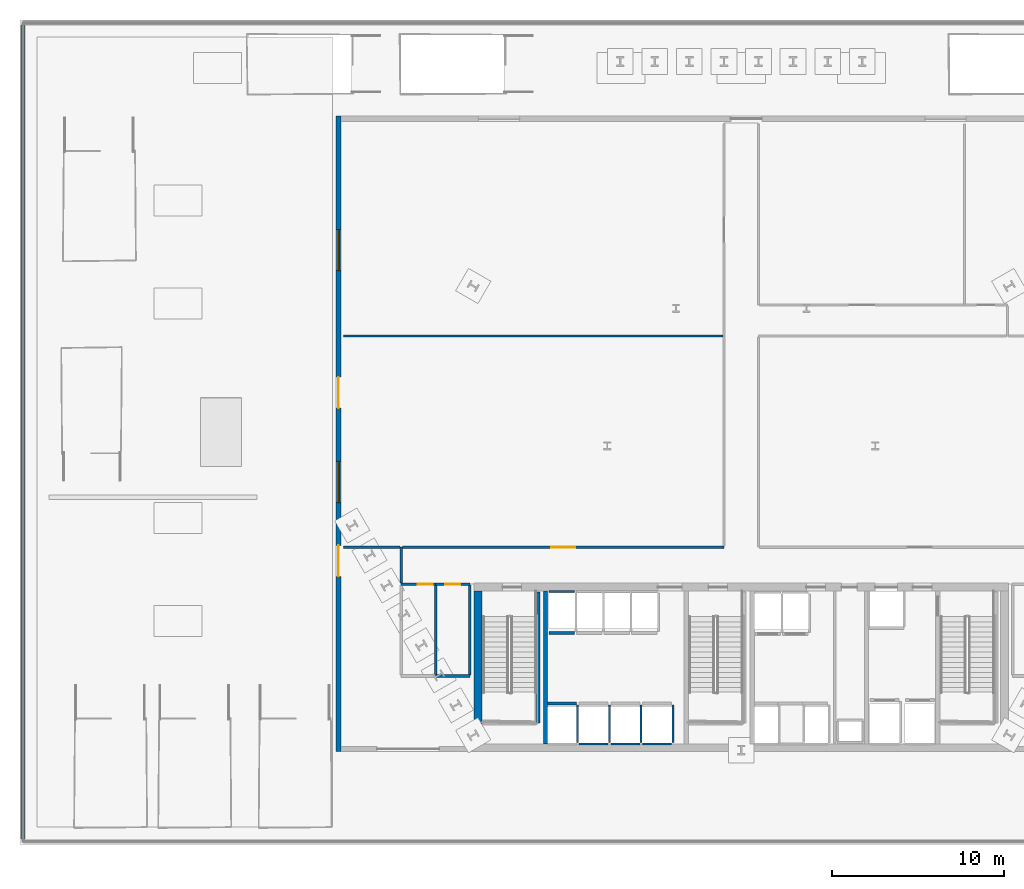
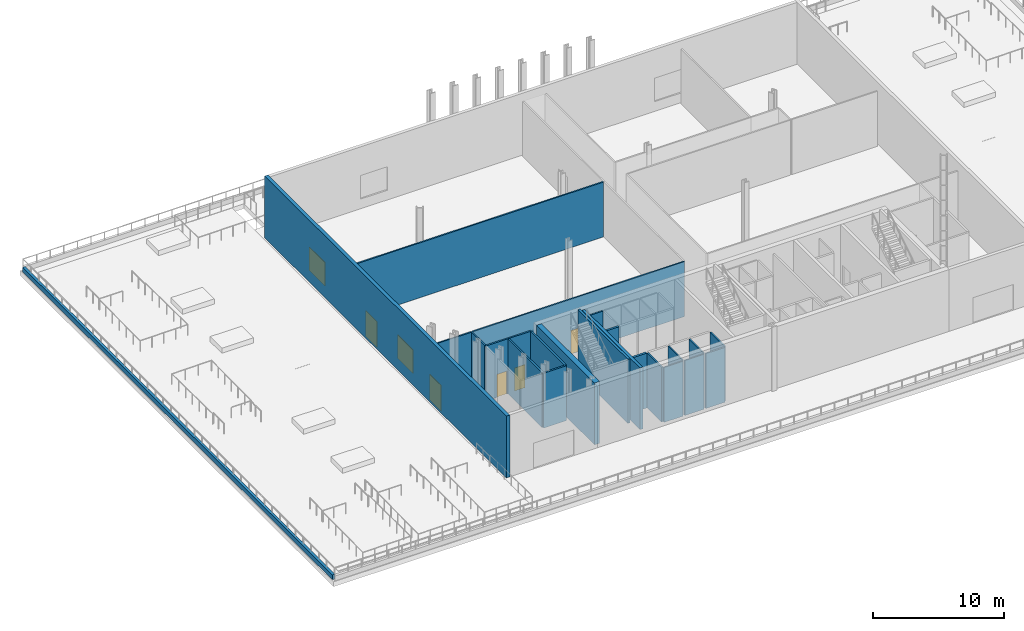
# One storey, part 3 of 13: 24 walls, 5 doors, 2 windows, 7 openings.
"""IFC4 building model written with IfcOpenShell, lengths in metres."""

from ifc_helpers import new_model, si_unit, direction, frame, frame_2d, origin, place, context, subcontext, project, spatial, rectangle, extrude, material, layer, layer_set, type_object, element, fill, save


model = new_model("IFC4")

# Units and contexts
model_context = context("Model", 3, precision=1e-05, world=origin(), true_north=direction((0.0, 1.0)))
body_context = subcontext(model_context, "Body", "Model", "MODEL_VIEW")
ifc_project = project(units=[si_unit("LENGTHUNIT", "METRE"), si_unit("AREAUNIT", "SQUARE_METRE"), si_unit("VOLUMEUNIT", "CUBIC_METRE"), si_unit("PLANEANGLEUNIT", "RADIAN"), si_unit("MASSUNIT", "GRAM", prefix="KILO")], contexts=[model_context])

# Site, building, storey
site_placement = place(None, origin())
site = spatial("IfcSite", under=ifc_project, at=site_placement, CompositionType="ELEMENT")
building_placement = place(site_placement, origin())
building = spatial("IfcBuilding", under=site, at=building_placement, Name="Ndaravel Arena Tower", CompositionType="ELEMENT")
storey_placement = place(building_placement, frame((0.0, 0.0, 30.0)))
storey = spatial("IfcBuildingStorey", under=building, at=storey_placement, Name="L05", CompositionType="ELEMENT", Elevation=30.0)

# Walls
ifc_material_1 = material(Name="Concrete C60/75", Category="concrete")
ifc_layer_1 = layer(ifc_material_1, 0.25)
ifc_layer_set_1 = layer_set([ifc_layer_1], Name="Concrete C60/75")
wall_type_1 = type_object("IfcWallType", Name="WALL-CORE-250", PredefinedType="SOLIDWALL", material=ifc_layer_set_1)
wall_1_placement = place(storey_placement, frame((30.60009765625, 5.85009765625, 0.0), z_axis=(0.0, 0.0, 1.0), x_axis=(0.0, 1.0, 0.0)))
element("IfcWall", 1, at=wall_1_placement, inside=storey, type_object=wall_type_1, Name="L05 Core Web Shear Wall 1", PredefinedType="SOLIDWALL", context=body_context, shape_type="SweptSolid", body=[
    extrude(rectangle(XDim=8.89990234375, YDim=0.25, at=frame_2d((4.449951171875, 0.0))), origin(), (0.0, 0.0, 1.0), 5.780029296875),
])
ifc_material_2 = material(Name="Concrete C60/75", Category="concrete")
ifc_layer_2 = layer(ifc_material_2, 0.449951171875)
ifc_layer_set_2 = layer_set([ifc_layer_2], Name="Concrete C60/75")
wall_type_2 = type_object("IfcWallType", Name="WALL-CORE-450", PredefinedType="SOLIDWALL", material=ifc_layer_set_2)
wall_2_placement = place(storey_placement, frame((26.675048828125, 5.85009765625, 0.0), z_axis=(0.0, 0.0, 1.0), x_axis=(0.0, 1.0, 0.0)))
element("IfcWall", 2, at=wall_2_placement, inside=storey, type_object=wall_type_2, Name="L05 Core West Shear Wall", PredefinedType="SOLIDWALL", context=body_context, shape_type="SweptSolid", body=[
    extrude(rectangle(XDim=8.89990234375, YDim=0.449951171875, at=frame_2d((4.449951171875, 0.0))), origin(), (0.0, 0.0, 1.0), 5.780029296875),
])
ifc_material_3 = material(Name="Masonry", Category="masonry")
ifc_layer_3 = layer(ifc_material_3, 0.219970703125)
ifc_layer_set_3 = layer_set([ifc_layer_3], Name="Masonry")
wall_type_3 = type_object("IfcWallType", Name="WALL-PARAPET-220", PredefinedType="PARAPET", material=ifc_layer_set_3)
wall_3_placement = place(storey_placement, frame((0.179931640625, 47.705078125, 0.0), z_axis=(0.0, 0.0, 1.0), x_axis=(0.0, -1.0, 0.0)))
element("IfcWall", 3, at=wall_3_placement, inside=storey, type_object=wall_type_3, Name="L05 Garden Mazeras Upstand 4", PredefinedType="PARAPET", context=body_context, shape_type="SweptSolid", body=[
    extrude(rectangle(XDim=47.41015625, YDim=0.219970703125, at=frame_2d((23.705078125, 0.0))), origin(), (0.0, 0.0, 1.0), 0.449951171875),
])
ifc_material_4 = material(Name="Gypsum", Category="gypsum")
ifc_layer_4 = layer(ifc_material_4, 0.125)
ifc_layer_set_4 = layer_set([ifc_layer_4], Name="Gypsum")
wall_type_4 = type_object("IfcWallType", Name="WALL-PART-125", PredefinedType="PARTITIONING", material=ifc_layer_set_4)
wall_4_placement = place(storey_placement, frame((22.199951171875, 15.215087890625, 0.0), z_axis=(0.0, 0.0, 1.0), x_axis=(0.0, 1.0, 0.0)))
element("IfcWall", 4, at=wall_4_placement, inside=storey, type_object=wall_type_4, Name="L05 Interior Partition 005", PredefinedType="PARTITIONING", context=body_context, shape_type="SweptSolid", body=[
    extrude(rectangle(XDim=2.0849609375, YDim=0.125, at=frame_2d((1.04248046875, 0.0))), origin(), (0.0, 0.0, 1.0), 5.1328125),
])

# Wall, opening, door
wall_5_placement = place(storey_placement, frame((22.264892578125, 17.300048828125, 0.0), z_axis=(0.0, 0.0, 1.0), x_axis=(1.0, 0.0, 0.0)))
wall_5 = element("IfcWall", 5, at=wall_5_placement, inside=storey, type_object=wall_type_4, Name="L05 Interior Partition 006", PredefinedType="PARTITIONING", context=body_context, shape_type="SweptSolid", body=[
    extrude(rectangle(XDim=18.735107421875, YDim=0.125, at=frame_2d((9.36767578125, 0.0))), origin(), (0.0, 0.0, 1.0), 5.1328125),
])
opening_1_placement = place(wall_5_placement, frame((8.66748046875, 0.0, 0.0)))
opening_1 = element("IfcOpeningElement", 6, at=opening_1_placement, cuts=wall_5, Name="Opening ID-02", PredefinedType="OPENING", context=body_context, shape_type="SweptSolid", body=[
    extrude(rectangle(XDim=1.39990234375, YDim=2.199951171875, at=frame_2d((0.699951171875, 1.10009765625))), frame((0.0, 0.0625, 0.0), z_axis=(0.0, -1.0, 0.0), x_axis=(1.0, 0.0, 0.0)), (0.0, 0.0, 1.0), 0.125),
])
ifc_material_5 = material(Name="Timber", Category="wood")
door_type_1 = type_object("IfcDoorType", Name="DT-04-SUITE-1400", OperationType="DOUBLE_DOOR_SINGLE_SWING", PredefinedType="DOOR", material=ifc_material_5)
door_1_placement = place(opening_1_placement, origin())
door_1 = element("IfcDoor", 7, at=door_1_placement, inside=storey, type_object=door_type_1, Name="L05 Mazeras Terrace Dining Restaurant Door", OperationType="SINGLE_SWING_RIGHT", OverallHeight=2.199951171875, OverallWidth=1.39990234375, PredefinedType="DOOR", context=body_context, shape_type="SweptSolid", body=[
    extrude(rectangle(XDim=1.39990234375, YDim=2.199951171875, at=frame_2d((0.699951171875, 1.10009765625))), frame((0.0, 0.02490234375, 0.0), z_axis=(0.0, -1.0, 0.0), x_axis=(1.0, 0.0, 0.0)), (0.0, 0.0, 1.0), 0.050048828125),
])
fill(opening_1, door_1)

# Walls
wall_6_placement = place(storey_placement, frame((22.135009765625, 17.300048828125, 0.0), z_axis=(0.0, 0.0, 1.0), x_axis=(-1.0, 0.0, 0.0)))
element("IfcWall", 8, at=wall_6_placement, inside=storey, type_object=wall_type_4, Name="L05 Interior Partition 016", PredefinedType="PARTITIONING", context=body_context, shape_type="SweptSolid", body=[
    extrude(rectangle(XDim=3.284912109375, YDim=0.125, at=frame_2d((1.642578125, 0.0))), origin(), (0.0, 0.0, 1.0), 5.1328125),
])
wall_7_placement = place(storey_placement, frame((18.85009765625, 29.60009765625, 0.0), z_axis=(0.0, 0.0, 1.0), x_axis=(1.0, 0.0, 0.0)))
element("IfcWall", 9, at=wall_7_placement, inside=storey, type_object=wall_type_4, Name="L05 Interior Partition 017", PredefinedType="PARTITIONING", context=body_context, shape_type="SweptSolid", body=[
    extrude(rectangle(XDim=22.0849609375, YDim=0.125, at=frame_2d((11.04248046875, 0.0))), origin(), (0.0, 0.0, 1.0), 5.1328125),
])

# Wall, openings, doors, windows
ifc_material_6 = material(Name="Masonry", Category="masonry")
ifc_layer_5 = layer(ifc_material_6, 0.300048828125)
ifc_layer_set_5 = layer_set([ifc_layer_5], Name="Masonry")
wall_type_5 = type_object("IfcWallType", Name="WALL-POD-MAZERAS-300", PredefinedType="SOLIDWALL", material=ifc_layer_set_5)
wall_8_placement = place(storey_placement, frame((18.550048828125, 5.39990234375, 0.0), z_axis=(0.0, 0.0, 1.0), x_axis=(0.0, 1.0, 0.0)))
wall_8 = element("IfcWall", 10, at=wall_8_placement, inside=storey, type_object=wall_type_5, Name="L05 Garden Pavilion West Wall", PredefinedType="SOLIDWALL", context=body_context, shape_type="SweptSolid", body=[
    extrude(rectangle(XDim=37.0, YDim=0.300048828125, at=frame_2d((18.5, 0.0))), origin(), (0.0, 0.0, 1.0), 5.780029296875),
])
opening_2_placement = place(wall_8_placement, frame((10.199951171875, 0.0, 0.0)))
opening_2 = element("IfcOpeningElement", 11, at=opening_2_placement, cuts=wall_8, Name="Opening ED-03", PredefinedType="OPENING", context=body_context, shape_type="SweptSolid", body=[
    extrude(rectangle(XDim=1.800048828125, YDim=2.39990234375, at=frame_2d((0.89990234375, 1.199951171875))), frame((0.0, 0.14990234375, 0.0), z_axis=(0.0, -1.0, 0.0), x_axis=(1.0, 0.0, 0.0)), (0.0, 0.0, 1.0), 0.300048828125),
])
opening_3_placement = place(wall_8_placement, frame((20.0, 0.0, 0.0)))
opening_3 = element("IfcOpeningElement", 12, at=opening_3_placement, cuts=wall_8, Name="Opening ED-03", PredefinedType="OPENING", context=body_context, shape_type="SweptSolid", body=[
    extrude(rectangle(XDim=1.800048828125, YDim=2.39990234375, at=frame_2d((0.89990234375, 1.199951171875))), frame((0.0, 0.14990234375, 0.0), z_axis=(0.0, -1.0, 0.0), x_axis=(1.0, 0.0, 0.0)), (0.0, 0.0, 1.0), 0.300048828125),
])
opening_4_placement = place(wall_8_placement, frame((14.5, 0.0, 0.89990234375)))
opening_4 = element("IfcOpeningElement", 13, at=opening_4_placement, cuts=wall_8, Name="Opening W-PD1", PredefinedType="OPENING", context=body_context, shape_type="SweptSolid", body=[
    extrude(rectangle(XDim=2.39990234375, YDim=2.199951171875, at=frame_2d((1.199951171875, 1.10009765625))), frame((0.0, 0.14990234375, 0.0), z_axis=(0.0, -1.0, 0.0), x_axis=(1.0, 0.0, 0.0)), (0.0, 0.0, 1.0), 0.300048828125),
])
opening_5_placement = place(wall_8_placement, frame((28.0, 0.0, 0.89990234375)))
opening_5 = element("IfcOpeningElement", 14, at=opening_5_placement, cuts=wall_8, Name="Opening W-PD1", PredefinedType="OPENING", context=body_context, shape_type="SweptSolid", body=[
    extrude(rectangle(XDim=2.39990234375, YDim=2.199951171875, at=frame_2d((1.199951171875, 1.10009765625))), frame((0.0, 0.14990234375, 0.0), z_axis=(0.0, -1.0, 0.0), x_axis=(1.0, 0.0, 0.0)), (0.0, 0.0, 1.0), 0.300048828125),
])
ifc_material_7 = material(Name="Aluminium", Category="aluminium")
door_type_2 = type_object("IfcDoorType", Name="ED-TERR-1800", OperationType="DOUBLE_DOOR_SINGLE_SWING", PredefinedType="DOOR", material=ifc_material_7)
door_2_placement = place(opening_2_placement, origin())
door_2 = element("IfcDoor", 15, at=door_2_placement, inside=storey, type_object=door_type_2, Name="L05 West Garden Terrace Concourse Door", OperationType="DOUBLE_DOOR_SINGLE_SWING", OverallHeight=2.39990234375, OverallWidth=1.800048828125, PredefinedType="DOOR", context=body_context, shape_type="SweptSolid", body=[
    extrude(rectangle(XDim=1.800048828125, YDim=2.39990234375, at=frame_2d((0.89990234375, 1.199951171875))), frame((0.0, 0.02490234375, 0.0), z_axis=(0.0, -1.0, 0.0), x_axis=(1.0, 0.0, 0.0)), (0.0, 0.0, 1.0), 0.050048828125),
])
fill(opening_2, door_2)
door_3_placement = place(opening_3_placement, origin())
door_3 = element("IfcDoor", 16, at=door_3_placement, inside=storey, type_object=door_type_2, Name="L05 West Dining Terrace Door", OperationType="DOUBLE_DOOR_SINGLE_SWING", OverallHeight=2.39990234375, OverallWidth=1.800048828125, PredefinedType="DOOR", context=body_context, shape_type="SweptSolid", body=[
    extrude(rectangle(XDim=1.800048828125, YDim=2.39990234375, at=frame_2d((0.89990234375, 1.199951171875))), frame((0.0, 0.02490234375, 0.0), z_axis=(0.0, -1.0, 0.0), x_axis=(1.0, 0.0, 0.0)), (0.0, 0.0, 1.0), 0.050048828125),
])
fill(opening_3, door_3)
ifc_material_8 = material(Name="Glazing", Category="glass")
window_type = type_object("IfcWindowType", Name="WIN-POD-2400", PartitioningType="SINGLE_PANEL", PredefinedType="WINDOW", material=ifc_material_8)
window_1_placement = place(opening_4_placement, origin())
window_1 = element("IfcWindow", 17, at=window_1_placement, inside=storey, type_object=window_type, Name="L05 Garden Pavilion Window 01", OverallHeight=2.199951171875, OverallWidth=2.39990234375, PartitioningType="SINGLE_PANEL", PredefinedType="WINDOW", context=body_context, shape_type="SweptSolid", body=[
    extrude(rectangle(XDim=2.39990234375, YDim=2.199951171875, at=frame_2d((1.199951171875, 1.10009765625))), frame((0.0, 0.030029296875, 0.0), z_axis=(0.0, -1.0, 0.0), x_axis=(1.0, 0.0, 0.0)), (0.0, 0.0, 1.0), 0.06005859375),
])
fill(opening_4, window_1)
window_2_placement = place(opening_5_placement, origin())
window_2 = element("IfcWindow", 18, at=window_2_placement, inside=storey, type_object=window_type, Name="L05 Garden Pavilion Window 02", OverallHeight=2.199951171875, OverallWidth=2.39990234375, PartitioningType="SINGLE_PANEL", PredefinedType="WINDOW", context=body_context, shape_type="SweptSolid", body=[
    extrude(rectangle(XDim=2.39990234375, YDim=2.199951171875, at=frame_2d((1.199951171875, 1.10009765625))), frame((0.0, 0.030029296875, 0.0), z_axis=(0.0, -1.0, 0.0), x_axis=(1.0, 0.0, 0.0)), (0.0, 0.0, 1.0), 0.06005859375),
])
fill(opening_5, window_2)

# Walls
ifc_material_9 = material(Name="Concrete C40/50", Category="concrete")
ifc_layer_6 = layer(ifc_material_9, 0.1201171875)
ifc_layer_set_6 = layer_set([ifc_layer_6], Name="Concrete C40/50")
wall_type_6 = type_object("IfcWallType", Name="WALL-SHAFT-120", PredefinedType="SOLIDWALL", material=ifc_layer_set_6)
wall_9_placement = place(storey_placement, frame((32.47509765625, 5.929931640625, 0.0), z_axis=(0.0, 0.0, 1.0), x_axis=(0.0, 1.0, 0.0)))
element("IfcWall", 19, at=wall_9_placement, inside=storey, type_object=wall_type_6, Name="L05 PL-L1 Shaft Side R Wall", PredefinedType="SOLIDWALL", context=body_context, shape_type="SweptSolid", body=[
    extrude(rectangle(XDim=2.18017578125, YDim=0.1201171875, at=frame_2d((1.090087890625, 0.0))), origin(), (0.0, 0.0, 1.0), 5.1328125),
])
wall_10_placement = place(storey_placement, frame((32.554931640625, 5.840087890625, 0.0), z_axis=(0.0, 0.0, 1.0), x_axis=(1.0, 0.0, 0.0)))
element("IfcWall", 20, at=wall_10_placement, inside=storey, type_object=wall_type_6, Name="L05 PL-L2 Shaft Rear Wall", PredefinedType="SOLIDWALL", context=body_context, shape_type="SweptSolid", body=[
    extrude(rectangle(XDim=1.690185546875, YDim=0.1201171875, at=frame_2d((0.84521484375, 0.0))), origin(), (0.0, 0.0, 1.0), 5.1328125),
])
wall_11_placement = place(storey_placement, frame((34.324951171875, 5.929931640625, 0.0), z_axis=(0.0, 0.0, 1.0), x_axis=(0.0, 1.0, 0.0)))
element("IfcWall", 21, at=wall_11_placement, inside=storey, type_object=wall_type_6, Name="L05 PL-L2 Shaft Side R Wall", PredefinedType="SOLIDWALL", context=body_context, shape_type="SweptSolid", body=[
    extrude(rectangle(XDim=2.18017578125, YDim=0.1201171875, at=frame_2d((1.090087890625, 0.0))), origin(), (0.0, 0.0, 1.0), 5.1328125),
])
wall_12_placement = place(storey_placement, frame((34.405029296875, 5.840087890625, 0.0), z_axis=(0.0, 0.0, 1.0), x_axis=(1.0, 0.0, 0.0)))
element("IfcWall", 22, at=wall_12_placement, inside=storey, type_object=wall_type_6, Name="L05 PL-L3 Shaft Rear Wall", PredefinedType="SOLIDWALL", context=body_context, shape_type="SweptSolid", body=[
    extrude(rectangle(XDim=1.68994140625, YDim=0.1201171875, at=frame_2d((0.844970703125, 0.0))), origin(), (0.0, 0.0, 1.0), 5.1328125),
])
wall_13_placement = place(storey_placement, frame((36.175048828125, 5.929931640625, 0.0), z_axis=(0.0, 0.0, 1.0), x_axis=(0.0, 1.0, 0.0)))
element("IfcWall", 23, at=wall_13_placement, inside=storey, type_object=wall_type_6, Name="L05 PL-L3 Shaft Side R Wall", PredefinedType="SOLIDWALL", context=body_context, shape_type="SweptSolid", body=[
    extrude(rectangle(XDim=2.18017578125, YDim=0.1201171875, at=frame_2d((1.090087890625, 0.0))), origin(), (0.0, 0.0, 1.0), 5.1328125),
])
wall_14_placement = place(storey_placement, frame((36.2548828125, 5.840087890625, 0.0), z_axis=(0.0, 0.0, 1.0), x_axis=(1.0, 0.0, 0.0)))
element("IfcWall", 24, at=wall_14_placement, inside=storey, type_object=wall_type_6, Name="L05 PL-L4 Shaft Rear Wall", PredefinedType="SOLIDWALL", context=body_context, shape_type="SweptSolid", body=[
    extrude(rectangle(XDim=1.690185546875, YDim=0.1201171875, at=frame_2d((0.84521484375, 0.0))), origin(), (0.0, 0.0, 1.0), 5.1328125),
])
wall_15_placement = place(storey_placement, frame((38.02490234375, 5.929931640625, 0.0), z_axis=(0.0, 0.0, 1.0), x_axis=(0.0, 1.0, 0.0)))
element("IfcWall", 25, at=wall_15_placement, inside=storey, type_object=wall_type_6, Name="L05 PL-L4 Shaft Side R Wall", PredefinedType="SOLIDWALL", context=body_context, shape_type="SweptSolid", body=[
    extrude(rectangle(XDim=2.18017578125, YDim=0.1201171875, at=frame_2d((1.090087890625, 0.0))), origin(), (0.0, 0.0, 1.0), 5.1328125),
])
wall_16_placement = place(storey_placement, frame((30.804931640625, 14.7099609375, 0.0), z_axis=(0.0, 0.0, 1.0), x_axis=(1.0, 0.0, 0.0)))
element("IfcWall", 26, at=wall_16_placement, inside=storey, type_object=wall_type_6, Name="L05 PL-M1 Shaft Rear Wall", PredefinedType="SOLIDWALL", context=body_context, shape_type="SweptSolid", body=[
    extrude(rectangle(XDim=1.489990234375, YDim=0.1201171875, at=frame_2d((0.7451171875, 0.0))), origin(), (0.0, 0.0, 1.0), 5.1328125),
])
ifc_material_10 = material(Name="Concrete C40/50", Category="concrete")
ifc_layer_7 = layer(ifc_material_10, 0.199951171875)
ifc_layer_set_7 = layer_set([ifc_layer_7], Name="Concrete C40/50")
wall_type_7 = type_object("IfcWallType", Name="WALL-SHAFT-200", PredefinedType="SOLIDWALL", material=ifc_layer_set_7)
wall_17_placement = place(storey_placement, frame((30.18994140625, 14.699951171875, 0.0), z_axis=(0.0, 0.0, 1.0), x_axis=(0.0, -1.0, 0.0)))
element("IfcWall", 27, at=wall_17_placement, inside=storey, type_object=wall_type_7, Name="L05 ST-1 Structural Shaft Wall Right", PredefinedType="SOLIDWALL", context=body_context, shape_type="SweptSolid", body=[
    extrude(rectangle(XDim=7.64990234375, YDim=0.199951171875, at=frame_2d((3.824951171875, 0.0))), origin(), (0.0, 0.0, 1.0), 6.0),
])
wall_18_placement = place(storey_placement, frame((30.72998046875, 8.199951171875, 0.0), z_axis=(0.0, 0.0, 1.0), x_axis=(1.0, 0.0, 0.0)))
element("IfcWall", 28, at=wall_18_placement, inside=storey, type_object=wall_type_7, Name="L05 PL-L1 Shaft Landing Wall", PredefinedType="SOLIDWALL", context=body_context, shape_type="SweptSolid", body=[
    extrude(rectangle(XDim=1.6650390625, YDim=0.179931640625, at=frame_2d((0.83251953125, 0.0))), origin(), (0.0, 0.0, 1.0), 5.1328125),
])
wall_19_placement = place(storey_placement, frame((30.804931640625, 12.300048828125, 0.0), z_axis=(0.0, 0.0, 1.0), x_axis=(1.0, 0.0, 0.0)))
element("IfcWall", 29, at=wall_19_placement, inside=storey, type_object=wall_type_7, Name="L05 PL-M1 Shaft Landing Wall", PredefinedType="SOLIDWALL", context=body_context, shape_type="SweptSolid", body=[
    extrude(rectangle(XDim=1.489990234375, YDim=0.179931640625, at=frame_2d((0.7451171875, 0.0))), origin(), (0.0, 0.0, 1.0), 5.1328125),
])

# Wall, opening, door
ifc_material_11 = material(Name="Masonry", Category="masonry")
ifc_layer_8 = layer(ifc_material_11, 0.14990234375)
ifc_layer_set_8 = layer_set([ifc_layer_8], Name="Masonry")
wall_type_8 = type_object("IfcWallType", Name="WALL-WET-150", PredefinedType="PARTITIONING", material=ifc_layer_set_8)
wall_20_placement = place(storey_placement, frame((26.199951171875, 15.14990234375, 0.0), z_axis=(0.0, 0.0, 1.0), x_axis=(-1.0, 0.0, 0.0)))
wall_20 = element("IfcWall", 30, at=wall_20_placement, inside=storey, type_object=wall_type_8, Name="L05 Interior Partition 003", PredefinedType="PARTITIONING", context=body_context, shape_type="SweptSolid", body=[
    extrude(rectangle(XDim=2.0, YDim=0.14990234375, at=frame_2d((1.0, 0.0))), origin(), (0.0, 0.0, 1.0), 5.1328125),
])
opening_6_placement = place(wall_20_placement, frame((0.550048828125, 0.0, 0.0)))
opening_6 = element("IfcOpeningElement", 31, at=opening_6_placement, cuts=wall_20, Name="Opening WD-01", PredefinedType="OPENING", context=body_context, shape_type="SweptSolid", body=[
    extrude(rectangle(XDim=0.89990234375, YDim=2.14990234375, at=frame_2d((0.449951171875, 1.074951171875))), frame((0.0, 0.074951171875, 0.0), z_axis=(0.0, -1.0, 0.0), x_axis=(1.0, 0.0, 0.0)), (0.0, 0.0, 1.0), 0.14990234375),
])
ifc_material_12 = material(Name="Timber", Category="wood")
door_type_3 = type_object("IfcDoorType", Name="DT-05-WC-900", OperationType="SINGLE_SWING_LEFT", PredefinedType="DOOR", material=ifc_material_12)
door_4_placement = place(opening_6_placement, origin())
door_4 = element("IfcDoor", 32, at=door_4_placement, inside=storey, type_object=door_type_3, Name="L05 Garden Pavilion Female & Accessible Restroom Door", OperationType="SINGLE_SWING_RIGHT", OverallHeight=2.14990234375, OverallWidth=0.89990234375, PredefinedType="DOOR", context=body_context, shape_type="SweptSolid", body=[
    extrude(rectangle(XDim=0.89990234375, YDim=2.14990234375, at=frame_2d((0.449951171875, 1.074951171875))), frame((0.0, 0.02490234375, 0.0), z_axis=(0.0, -1.0, 0.0), x_axis=(1.0, 0.0, 0.0)), (0.0, 0.0, 1.0), 0.050048828125),
])
fill(opening_6, door_4)

wall_21_placement = place(storey_placement, frame((24.199951171875, 15.14990234375, 0.0), z_axis=(0.0, 0.0, 1.0), x_axis=(-1.0, 0.0, 0.0)))
wall_21 = element("IfcWall", 33, at=wall_21_placement, inside=storey, type_object=wall_type_8, Name="L05 Interior Partition 004", PredefinedType="PARTITIONING", context=body_context, shape_type="SweptSolid", body=[
    extrude(rectangle(XDim=2.0, YDim=0.14990234375, at=frame_2d((1.0, 0.0))), origin(), (0.0, 0.0, 1.0), 5.1328125),
])
opening_7_placement = place(wall_21_placement, frame((0.175048828125, 0.0, 0.0)))
opening_7 = element("IfcOpeningElement", 34, at=opening_7_placement, cuts=wall_21, Name="Opening ID-03", PredefinedType="OPENING", context=body_context, shape_type="SweptSolid", body=[
    extrude(rectangle(XDim=0.85009765625, YDim=2.14990234375, at=frame_2d((0.425048828125, 1.074951171875))), frame((0.0, 0.074951171875, 0.0), z_axis=(0.0, -1.0, 0.0), x_axis=(1.0, 0.0, 0.0)), (0.0, 0.0, 1.0), 0.14990234375),
])
ifc_material_13 = material(Name="Timber", Category="wood")
door_type_4 = type_object("IfcDoorType", Name="DT-12-SUB-850", OperationType="SINGLE_SWING_LEFT", PredefinedType="DOOR", material=ifc_material_13)
door_5_placement = place(opening_7_placement, origin())
door_5 = element("IfcDoor", 35, at=door_5_placement, inside=storey, type_object=door_type_4, Name="L05 Garden Pavilion Male Restroom Door", OperationType="SINGLE_SWING_LEFT", OverallHeight=2.14990234375, OverallWidth=0.85009765625, PredefinedType="DOOR", context=body_context, shape_type="SweptSolid", body=[
    extrude(rectangle(XDim=0.85009765625, YDim=2.14990234375, at=frame_2d((0.425048828125, 1.074951171875))), frame((0.0, 0.02490234375, 0.0), z_axis=(0.0, -1.0, 0.0), x_axis=(1.0, 0.0, 0.0)), (0.0, 0.0, 1.0), 0.050048828125),
])
fill(opening_7, door_5)

# Walls
wall_22_placement = place(storey_placement, frame((24.199951171875, 15.0849609375, 0.0), z_axis=(0.0, 0.0, 1.0), x_axis=(0.0, -1.0, 0.0)))
element("IfcWall", 36, at=wall_22_placement, inside=storey, type_object=wall_type_8, Name="L05 Interior Partition 023", PredefinedType="PARTITIONING", context=body_context, shape_type="SweptSolid", body=[
    extrude(rectangle(XDim=5.219970703125, YDim=0.14990234375, at=frame_2d((2.60986328125, 0.0))), origin(), (0.0, 0.0, 1.0), 5.1328125),
])
wall_23_placement = place(storey_placement, frame((26.199951171875, 9.800048828125, 0.0), z_axis=(0.0, 0.0, 1.0), x_axis=(-1.0, 0.0, 0.0)))
element("IfcWall", 37, at=wall_23_placement, inside=storey, type_object=wall_type_8, Name="L05 Interior Partition 024", PredefinedType="PARTITIONING", context=body_context, shape_type="SweptSolid", body=[
    extrude(rectangle(XDim=2.0, YDim=0.14990234375, at=frame_2d((1.0, 0.0))), origin(), (0.0, 0.0, 1.0), 5.1328125),
])
wall_24_placement = place(storey_placement, frame((26.199951171875, 15.0849609375, 0.0), z_axis=(0.0, 0.0, 1.0), x_axis=(0.0, -1.0, 0.0)))
element("IfcWall", 38, at=wall_24_placement, inside=storey, type_object=wall_type_8, Name="L05 Interior Partition 025", PredefinedType="PARTITIONING", context=body_context, shape_type="SweptSolid", body=[
    extrude(rectangle(XDim=5.219970703125, YDim=0.14990234375, at=frame_2d((2.60986328125, 0.0))), origin(), (0.0, 0.0, 1.0), 5.1328125),
])

save(model, "model.ifc")
